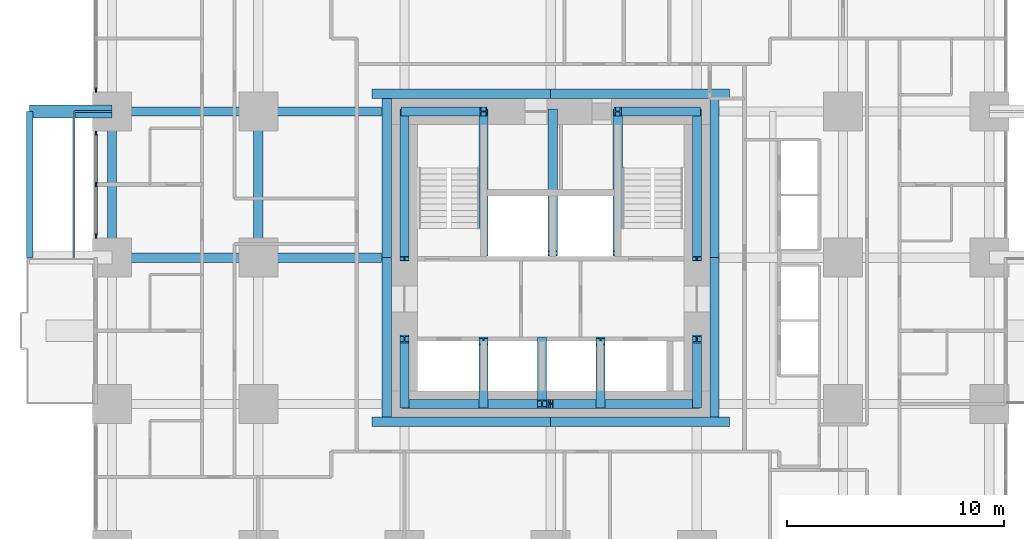
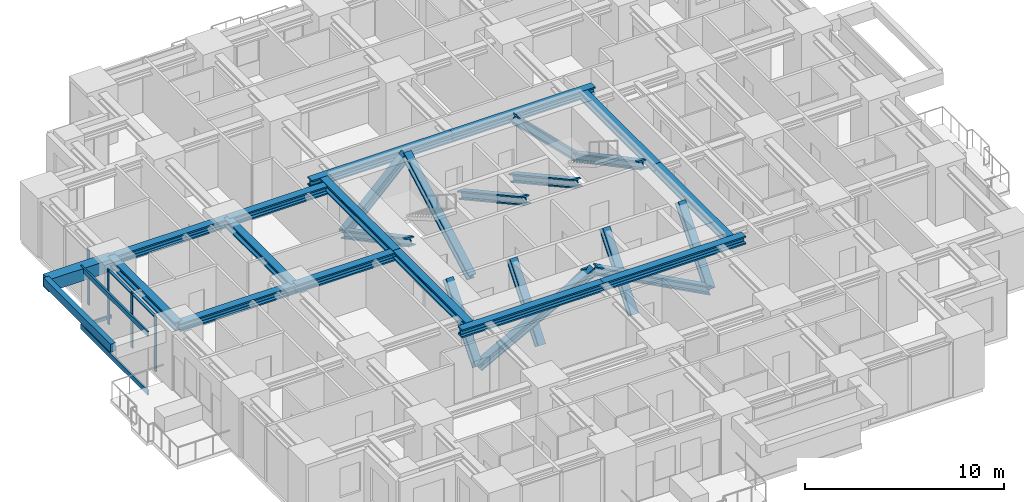
# One storey, part 3 of 14: 23 members, 16 beams, 2 elements without a shape of their own.
"""IFC4 building model written with IfcOpenShell, lengths in metres."""

from ifc_helpers import new_model, si_unit, direction, frame, origin, origin_2d, place, context, subcontext, project, spatial, rectangle, hollow_rectangle, i_section, extrude, material, material_profile, profile_set, type_object, element, aggregate, save


model = new_model("IFC4")

# Units and contexts
model_context = context("Model", 3, precision=1e-05, world=origin(), true_north=direction((0.0, 1.0)))
body_context = subcontext(model_context, "Body", "Model", "MODEL_VIEW")
ifc_project = project(units=[si_unit("LENGTHUNIT", "METRE"), si_unit("AREAUNIT", "SQUARE_METRE"), si_unit("VOLUMEUNIT", "CUBIC_METRE"), si_unit("PLANEANGLEUNIT", "RADIAN"), si_unit("MASSUNIT", "GRAM", prefix="KILO")], contexts=[model_context])

# Site, building, storey
site_placement = place(None, origin())
site = spatial("IfcSite", under=ifc_project, at=site_placement, CompositionType="ELEMENT")
building_placement = place(site_placement, origin())
building = spatial("IfcBuilding", under=site, at=building_placement, Name="Nyansa Garden Tower", CompositionType="ELEMENT")
storey_placement = place(building_placement, frame((0.0, 0.0, 54.0)))
storey = spatial("IfcBuildingStorey", under=building, at=storey_placement, Name="L14", CompositionType="ELEMENT", Elevation=54.0)

# Beams
ifc_material_1 = material(Name="Concrete C70/85", Category="concrete")
ifc_material_profile_1 = material_profile(ifc_material_1, rectangle(XDim=0.60009765625, YDim=0.75, at=origin_2d()), Name="RC 600x750")
ifc_profile_set_1 = profile_set([ifc_material_profile_1], Name="Concrete C70/85")
beam_type_1 = type_object("IfcBeamType", Name="Balcony cantilever beam CB1 RC 600x750", PredefinedType="BEAM", material=ifc_profile_set_1)
beam_1_placement = place(storey_placement, frame((0.0, 27.0, 2.985107421875), z_axis=(-1.0, 0.0, 0.0), x_axis=(0.0, -1.0, 0.0)))
element("IfcBeam", 1, at=beam_1_placement, inside=storey, type_object=beam_type_1, Name="Balcony cantilever beam L15", PredefinedType="BEAM", context=body_context, shape_type="SweptSolid", body=[
    extrude(rectangle(XDim=0.60009765625, YDim=0.75, at=origin_2d()), origin(), (0.0, 0.0, 1.0), 3.800048828125),
])
ifc_material_2 = material(Name="Concrete C70/85", Category="concrete")
ifc_material_profile_2 = material_profile(ifc_material_2, rectangle(XDim=0.300048828125, YDim=0.5, at=origin_2d()), Name="RC 300x500")
ifc_profile_set_2 = profile_set([ifc_material_profile_2], Name="Concrete C70/85")
beam_type_2 = type_object("IfcBeamType", Name="Balcony edge beam BE1 RC 300x500", PredefinedType="BEAM", material=ifc_profile_set_2)
beam_2_placement = place(storey_placement, frame((-3.800048828125, 20.25, 3.110107421875), z_axis=(0.0, 1.0, 0.0), x_axis=(-1.0, 0.0, 0.0)))
element("IfcBeam", 2, at=beam_2_placement, inside=storey, type_object=beam_type_2, Name="Balcony edge beam L15", PredefinedType="BEAM", context=body_context, shape_type="SweptSolid", body=[
    extrude(rectangle(XDim=0.300048828125, YDim=0.5, at=origin_2d()), origin(), (0.0, 0.0, 1.0), 6.75),
])

# Curtain wall, member
ifc_material_3 = material(Name="Black anodised aluminium, dark tinted double glazing", Category="aluminium")
curtain_wall_type = type_object("IfcCurtainWallType", Name="Inner skin curtain wall ISW-A", PredefinedType="USERDEFINED", material=ifc_material_3)
curtain_wall_1_placement = place(storey_placement, origin())
curtain_wall_1 = element("IfcCurtainWall", 3, at=curtain_wall_1_placement, inside=storey, type_object=curtain_wall_type, Name="Inner skin curtain wall L14 W", ObjectType="UNITISED CURTAIN WALL", PredefinedType="USERDEFINED")
ifc_material_4 = material(Name="Black anodised aluminium", Category="aluminium")
ifc_material_profile_3 = material_profile(ifc_material_4, rectangle(XDim=0.06494140625, YDim=0.199951171875, at=origin_2d()), Name="Mullion 200x65")
ifc_profile_set_3 = profile_set([ifc_material_profile_3], Name="Black anodised aluminium")
member_type_1 = type_object("IfcMemberType", Name="Mullion ISW-A 200x65", PredefinedType="MULLION", material=ifc_profile_set_3)
member_1_placement = place(storey_placement, frame((-0.75, 28.0, 0.0), z_axis=(0.0, 0.0, 1.0), x_axis=(1.0, 0.0, 0.0)))
member_1 = element("IfcMember", 4, at=member_1_placement, type_object=member_type_1, Name="ISW-A mullion 3", PredefinedType="MULLION", context=body_context, shape_type="SweptSolid", body=[
    extrude(rectangle(XDim=0.06494140625, YDim=0.199951171875, at=origin_2d()), origin(), (0.0, 0.0, 1.0), 3.375),
])
aggregate(curtain_wall_1, [member_1])

# Curtain wall, members
curtain_wall_2_placement = place(storey_placement, origin())
curtain_wall_2 = element("IfcCurtainWall", 5, at=curtain_wall_2_placement, inside=storey, type_object=curtain_wall_type, Name="Inner skin curtain wall L14 W", ObjectType="UNITISED CURTAIN WALL", PredefinedType="USERDEFINED")
member_2_placement = place(storey_placement, frame((-0.75, 26.0, 0.0), z_axis=(0.0, 0.0, 1.0), x_axis=(1.0, 0.0, 0.0)))
member_2 = element("IfcMember", 6, at=member_2_placement, type_object=member_type_1, Name="ISW-A mullion 1", PredefinedType="MULLION", context=body_context, shape_type="SweptSolid", body=[
    extrude(rectangle(XDim=0.06494140625, YDim=0.199951171875, at=origin_2d()), origin(), (0.0, 0.0, 1.0), 3.375),
])
member_3_placement = place(storey_placement, frame((-0.75, 23.625, 0.0), z_axis=(0.0, 0.0, 1.0), x_axis=(1.0, 0.0, 0.0)))
member_3 = element("IfcMember", 7, at=member_3_placement, type_object=member_type_1, Name="ISW-A mullion 2", PredefinedType="MULLION", context=body_context, shape_type="SweptSolid", body=[
    extrude(rectangle(XDim=0.06494140625, YDim=0.199951171875, at=origin_2d()), origin(), (0.0, 0.0, 1.0), 3.375),
])
member_4_placement = place(storey_placement, frame((-0.75, 21.25, 0.0), z_axis=(0.0, 0.0, 1.0), x_axis=(1.0, 0.0, 0.0)))
member_4 = element("IfcMember", 8, at=member_4_placement, type_object=member_type_1, Name="ISW-A mullion 3", PredefinedType="MULLION", context=body_context, shape_type="SweptSolid", body=[
    extrude(rectangle(XDim=0.06494140625, YDim=0.199951171875, at=origin_2d()), origin(), (0.0, 0.0, 1.0), 3.375),
])

# Members
ifc_material_5 = material(Name="Steel S355, black powder coated", Category="steel")
ifc_material_profile_4 = material_profile(ifc_material_5, hollow_rectangle(XDim=0.10009765625, YDim=0.199951171875, WallThickness=0.008056640625, at=origin_2d()), Name="RHS 200x100x8")
ifc_profile_set_4 = profile_set([ifc_material_profile_4], Name="Steel S355, black powder coated")
member_type_2 = type_object("IfcMemberType", Name="Outer skin bracket arm RHS 200x100x8", PredefinedType="USERDEFINED", material=ifc_profile_set_4)
member_5_placement = place(storey_placement, frame((0.0, 27.0, -0.375), z_axis=(-1.0, 0.0, 0.0), x_axis=(0.0, -1.0, 0.0)))
element("IfcMember", 9, at=member_5_placement, inside=storey, type_object=member_type_2, Name="Outer skin bracket arm", ObjectType="OUTER SKIN BRACKET", PredefinedType="USERDEFINED", context=body_context, shape_type="SweptSolid", body=[
    extrude(hollow_rectangle(XDim=0.10009765625, YDim=0.199951171875, WallThickness=0.008056640625, at=origin_2d()), origin(), (0.0, 0.0, 1.0), 1.75),
])
ifc_material_6 = material(Name="Steel S355, black powder coated", Category="steel")
ifc_material_profile_5 = material_profile(ifc_material_6, hollow_rectangle(XDim=0.10009765625, YDim=0.300048828125, WallThickness=0.010009765625, at=origin_2d()), Name="RHS 300x100x10")
ifc_profile_set_5 = profile_set([ifc_material_profile_5], Name="Steel S355, black powder coated")
member_type_3 = type_object("IfcMemberType", Name="Outer skin rail RHS 300x100x10", PredefinedType="USERDEFINED", material=ifc_profile_set_5)
for number, where, z_axis, x_axis, name in (
    (10, (-1.75, 20.25, -0.375), (0.0, 1.0, 0.0), (-1.0, 0.0, 0.0), "Outer skin rail L14"),
    (11, (-1.75, 20.25, 3.22509765625), (0.0, 1.0, 0.0), (-1.0, 0.0, 0.0), "Outer skin rail L14 head"),
):
    element("IfcMember", number, at=place(storey_placement, frame(where, z_axis=z_axis, x_axis=x_axis)), inside=storey, type_object=member_type_3, Name=name, ObjectType="OUTER SKIN RAIL", PredefinedType="USERDEFINED", context=body_context, shape_type="SweptSolid", body=[
        extrude(hollow_rectangle(XDim=0.10009765625, YDim=0.300048828125, WallThickness=0.010009765625, at=origin_2d()), origin(), (0.0, 0.0, 1.0), 6.75),
    ])
ifc_material_7 = material(Name="Steel S355", Category="steel")
ifc_material_profile_6 = material_profile(ifc_material_7, i_section(OverallWidth=0.424072265625, OverallDepth=0.47412109375, WebThickness=0.047607421875, FlangeThickness=0.076904296875, FilletRadius=0.014892578125, at=origin_2d()), Name="HD 400x634")
ifc_profile_set_6 = profile_set([ifc_material_profile_6], Name="Steel S355")
member_type_4 = type_object("IfcMemberType", Name="Perimeter brace HD 400x634", PredefinedType="BRACE", material=ifc_profile_set_6)
for number, where, z_axis, x_axis, name in (
    (12, (13.5, 13.5, 0.0), (0.882347640589, 0.0, 0.47059817376), (0.0, 1.0, 0.0), "Core brace CS1 L14"),
    (13, (27.0, 13.5, 0.0), (-0.882347640589, 0.0, 0.47059817376), (0.0, -1.0, 0.0), "Core brace CS2 L14"),
):
    element("IfcMember", number, at=place(storey_placement, frame(where, z_axis=z_axis, x_axis=x_axis)), inside=storey, type_object=member_type_4, Name=name, PredefinedType="BRACE", context=body_context, shape_type="SweptSolid", body=[
        extrude(i_section(OverallWidth=0.424072265625, OverallDepth=0.47412109375, WebThickness=0.047607421875, FlangeThickness=0.076904296875, FilletRadius=0.014892578125, at=origin_2d()), origin(), (0.0, 0.0, 1.0), 7.650146484375),
    ])
for number, where, z_axis, x_axis, name in (
    (14, (13.5, 27.0, 0.0), (0.711947531702, 0.0, 0.702232662373), (0.0, 1.0, 0.0), "Core brace CN3 L14"),
    (15, (27.0, 27.0, 0.0), (-0.711947531702, 0.0, 0.702232662373), (0.0, -1.0, 0.0), "Core brace CN4 L14"),
):
    element("IfcMember", number, at=place(storey_placement, frame(where, z_axis=z_axis, x_axis=x_axis)), inside=storey, type_object=member_type_4, Name=name, PredefinedType="BRACE", context=body_context, shape_type="SweptSolid", body=[
        extrude(i_section(OverallWidth=0.424072265625, OverallDepth=0.47412109375, WebThickness=0.047607421875, FlangeThickness=0.076904296875, FilletRadius=0.014892578125, at=origin_2d()), origin(), (0.0, 0.0, 1.0), 5.126708984375),
    ])
member_6_placement = place(storey_placement, frame((13.5, 13.5, 0.0), z_axis=(0.0, 0.640174150918, 0.768229820104), x_axis=(-1.0, 0.0, 0.0)))
element("IfcMember", 16, at=member_6_placement, inside=storey, type_object=member_type_4, Name="Core brace CW5 L14", PredefinedType="BRACE", context=body_context, shape_type="SweptSolid", body=[
    extrude(i_section(OverallWidth=0.424072265625, OverallDepth=0.47412109375, WebThickness=0.047607421875, FlangeThickness=0.076904296875, FilletRadius=0.014892578125, at=origin_2d()), origin(), (0.0, 0.0, 1.0), 4.686279296875),
])
member_7_placement = place(storey_placement, frame((13.5, 27.0, 0.0), z_axis=(0.0, -0.883784057226, 0.467895009796), x_axis=(1.0, 0.0, 0.0)))
element("IfcMember", 17, at=member_7_placement, inside=storey, type_object=member_type_4, Name="Core brace CW6 L14", PredefinedType="BRACE", context=body_context, shape_type="SweptSolid", body=[
    extrude(i_section(OverallWidth=0.424072265625, OverallDepth=0.47412109375, WebThickness=0.047607421875, FlangeThickness=0.076904296875, FilletRadius=0.014892578125, at=origin_2d()), origin(), (0.0, 0.0, 1.0), 7.6943359375),
])
member_8_placement = place(storey_placement, frame((27.0, 13.5, 0.0), z_axis=(0.0, 0.640174150918, 0.768229820104), x_axis=(-1.0, 0.0, 0.0)))
element("IfcMember", 18, at=member_8_placement, inside=storey, type_object=member_type_4, Name="Core brace CE7 L14", PredefinedType="BRACE", context=body_context, shape_type="SweptSolid", body=[
    extrude(i_section(OverallWidth=0.424072265625, OverallDepth=0.47412109375, WebThickness=0.047607421875, FlangeThickness=0.076904296875, FilletRadius=0.014892578125, at=origin_2d()), origin(), (0.0, 0.0, 1.0), 4.686279296875),
])
member_9_placement = place(storey_placement, frame((27.0, 27.0, 0.0), z_axis=(0.0, -0.883784057226, 0.467895009796), x_axis=(1.0, 0.0, 0.0)))
element("IfcMember", 19, at=member_9_placement, inside=storey, type_object=member_type_4, Name="Core brace CE8 L14", PredefinedType="BRACE", context=body_context, shape_type="SweptSolid", body=[
    extrude(i_section(OverallWidth=0.424072265625, OverallDepth=0.47412109375, WebThickness=0.047607421875, FlangeThickness=0.076904296875, FilletRadius=0.014892578125, at=origin_2d()), origin(), (0.0, 0.0, 1.0), 7.6943359375),
])
for number, where, z_axis, x_axis, name in (
    (20, (17.14990234375, 20.449951171875, 0.0), (0.0, 0.876353113771, 0.481669201822), (-1.0, 0.0, 0.0), "Core brace CWS9 L14"),
    (21, (23.35009765625, 27.0, 0.0), (0.0, -0.876353113771, 0.481669201822), (1.0, 0.0, 0.0), "Core brace CES10 L14"),
):
    element("IfcMember", number, at=place(storey_placement, frame(where, z_axis=z_axis, x_axis=x_axis)), inside=storey, type_object=member_type_4, Name=name, PredefinedType="BRACE", context=body_context, shape_type="SweptSolid", body=[
        extrude(i_section(OverallWidth=0.424072265625, OverallDepth=0.47412109375, WebThickness=0.047607421875, FlangeThickness=0.076904296875, FilletRadius=0.014892578125, at=origin_2d()), origin(), (0.0, 0.0, 1.0), 7.47412109375),
    ])
for number, where, z_axis, x_axis, name in (
    (22, (17.14990234375, 13.5, 0.0), (0.0, 0.627306405886, 0.778772542617), (-1.0, 0.0, 0.0), "Core brace CSW11 L14"),
    (23, (19.85009765625, 16.39990234375, 0.0), (0.0, -0.627306405886, 0.778772542617), (1.0, 0.0, 0.0), "Core brace CSW12 L14"),
    (24, (22.550048828125, 13.5, 0.0), (0.0, 0.627306405886, 0.778772542617), (-1.0, 0.0, 0.0), "Core brace CSW13 L14"),
):
    element("IfcMember", number, at=place(storey_placement, frame(where, z_axis=z_axis, x_axis=x_axis)), inside=storey, type_object=member_type_4, Name=name, PredefinedType="BRACE", context=body_context, shape_type="SweptSolid", body=[
        extrude(i_section(OverallWidth=0.424072265625, OverallDepth=0.47412109375, WebThickness=0.047607421875, FlangeThickness=0.076904296875, FilletRadius=0.014892578125, at=origin_2d()), origin(), (0.0, 0.0, 1.0), 4.622802734375),
    ])
member_10_placement = place(storey_placement, frame((20.35009765625, 27.0, 0.0), z_axis=(0.0, -0.876353113771, 0.481669201822), x_axis=(1.0, 0.0, 0.0)))
element("IfcMember", 25, at=member_10_placement, inside=storey, type_object=member_type_4, Name="Core brace CNW14 L14", PredefinedType="BRACE", context=body_context, shape_type="SweptSolid", body=[
    extrude(i_section(OverallWidth=0.424072265625, OverallDepth=0.47412109375, WebThickness=0.047607421875, FlangeThickness=0.076904296875, FilletRadius=0.014892578125, at=origin_2d()), origin(), (0.0, 0.0, 1.0), 7.47412109375),
])

# Beams
ifc_material_8 = material(Name="Steel S355", Category="steel")
ifc_material_profile_7 = material_profile(ifc_material_8, i_section(OverallWidth=0.431884765625, OverallDepth=0.498046875, WebThickness=0.0556640625, FlangeThickness=0.0888671875, FilletRadius=0.014892578125, at=origin_2d()), Name="HD 400x744")
ifc_profile_set_7 = profile_set([ifc_material_profile_7], Name="Steel S355")
beam_type_3 = type_object("IfcBeamType", Name="Steel beam SBA1-744 HD 400x744", PredefinedType="BEAM", material=ifc_profile_set_7)
for number, where, z_axis, x_axis, name in (
    (26, (0.0, 20.25, 3.1259765625), (1.0, 0.0, 0.0), (0.0, 1.0, 0.0), "Steel beam 2/G-3/G L15"),
    (27, (0.0, 27.0, 3.1259765625), (1.0, 0.0, 0.0), (0.0, 1.0, 0.0), "Steel beam 2/H-3/H L15"),
    (28, (6.75, 20.25, 3.1259765625), (0.0, 1.0, 0.0), (-1.0, 0.0, 0.0), "Steel beam 3/G-3/H L15"),
):
    element("IfcBeam", number, at=place(storey_placement, frame(where, z_axis=z_axis, x_axis=x_axis)), inside=storey, type_object=beam_type_3, Name=name, PredefinedType="BEAM", context=body_context, shape_type="SweptSolid", body=[
        extrude(i_section(OverallWidth=0.431884765625, OverallDepth=0.498046875, WebThickness=0.0556640625, FlangeThickness=0.0888671875, FilletRadius=0.014892578125, at=origin_2d()), origin(), (0.0, 0.0, 1.0), 6.75),
    ])
for number, where, z_axis, x_axis, name in (
    (29, (6.75, 20.25, 3.1259765625), (1.0, 0.0, 0.0), (0.0, 1.0, 0.0), "Steel beam 3/G-12.450/G L15"),
    (30, (6.75, 27.0, 3.1259765625), (1.0, 0.0, 0.0), (0.0, 1.0, 0.0), "Steel beam 3/H-12.450/H L15"),
):
    element("IfcBeam", number, at=place(storey_placement, frame(where, z_axis=z_axis, x_axis=x_axis)), inside=storey, type_object=beam_type_3, Name=name, PredefinedType="BEAM", context=body_context, shape_type="SweptSolid", body=[
        extrude(i_section(OverallWidth=0.431884765625, OverallDepth=0.498046875, WebThickness=0.0556640625, FlangeThickness=0.0888671875, FilletRadius=0.014892578125, at=origin_2d()), origin(), (0.0, 0.0, 1.0), 5.699951171875),
    ])
ifc_material_9 = material(Name="Steel S355", Category="steel")
ifc_material_profile_8 = material_profile(ifc_material_9, i_section(OverallWidth=0.431884765625, OverallDepth=0.498046875, WebThickness=0.0556640625, FlangeThickness=0.0888671875, FilletRadius=0.014892578125, at=origin_2d()), Name="HD 400x744")
ifc_profile_set_8 = profile_set([ifc_material_profile_8], Name="Steel S355")
beam_type_4 = type_object("IfcBeamType", Name="Steel beam SEBA-744 HD 400x744", PredefinedType="BEAM", material=ifc_profile_set_8)
beam_3_placement = place(storey_placement, frame((0.0, 20.25, 3.1259765625), z_axis=(0.0, 1.0, 0.0), x_axis=(-1.0, 0.0, 0.0)))
element("IfcBeam", 31, at=beam_3_placement, inside=storey, type_object=beam_type_4, Name="Steel edge beam 2/G-2/H L15", PredefinedType="BEAM", context=body_context, shape_type="SweptSolid", body=[
    extrude(i_section(OverallWidth=0.431884765625, OverallDepth=0.498046875, WebThickness=0.0556640625, FlangeThickness=0.0888671875, FilletRadius=0.014892578125, at=origin_2d()), origin(), (0.0, 0.0, 1.0), 6.75),
])
ifc_material_10 = material(Name="Steel S355", Category="steel")
ifc_material_profile_9 = material_profile(ifc_material_10, i_section(OverallWidth=0.431884765625, OverallDepth=0.498046875, WebThickness=0.0556640625, FlangeThickness=0.0888671875, FilletRadius=0.014892578125, at=origin_2d()), Name="HD 400x744")
ifc_profile_set_9 = profile_set([ifc_material_profile_9], Name="Steel S355")
beam_type_5 = type_object("IfcBeamType", Name="Steel beam SLB1-744 HD 400x744", PredefinedType="BEAM", material=ifc_profile_set_9)
for number, where, z_axis, x_axis, name in (
    (32, (12.0, 12.68408203125, 3.1259765625), (1.0, 0.0, 0.0), (0.0, 1.0, 0.0), "Steel core ledger beam S.1 L15"),
    (33, (20.25, 12.68408203125, 3.1259765625), (1.0, 0.0, 0.0), (0.0, 1.0, 0.0), "Steel core ledger beam S.2 L15"),
):
    element("IfcBeam", number, at=place(storey_placement, frame(where, z_axis=z_axis, x_axis=x_axis)), inside=storey, type_object=beam_type_5, Name=name, PredefinedType="BEAM", context=body_context, shape_type="SweptSolid", body=[
        extrude(i_section(OverallWidth=0.431884765625, OverallDepth=0.498046875, WebThickness=0.0556640625, FlangeThickness=0.0888671875, FilletRadius=0.014892578125, at=origin_2d()), origin(), (0.0, 0.0, 1.0), 8.25),
    ])
for number, where, z_axis, x_axis, name in (
    (34, (27.81591796875, 12.89990234375, 3.1259765625), (0.0, 1.0, 0.0), (-1.0, 0.0, 0.0), "Steel core ledger beam E.1 L15"),
    (35, (27.81591796875, 20.25, 3.1259765625), (0.0, 1.0, 0.0), (-1.0, 0.0, 0.0), "Steel core ledger beam E.2 L15"),
):
    element("IfcBeam", number, at=place(storey_placement, frame(where, z_axis=z_axis, x_axis=x_axis)), inside=storey, type_object=beam_type_5, Name=name, PredefinedType="BEAM", context=body_context, shape_type="SweptSolid", body=[
        extrude(i_section(OverallWidth=0.431884765625, OverallDepth=0.498046875, WebThickness=0.0556640625, FlangeThickness=0.0888671875, FilletRadius=0.014892578125, at=origin_2d()), origin(), (0.0, 0.0, 1.0), 7.35009765625),
    ])
for number, where, z_axis, x_axis, name in (
    (36, (28.5, 27.81591796875, 3.1259765625), (-1.0, 0.0, 0.0), (0.0, -1.0, 0.0), "Steel core ledger beam N.1 L15"),
    (37, (20.25, 27.81591796875, 3.1259765625), (-1.0, 0.0, 0.0), (0.0, -1.0, 0.0), "Steel core ledger beam N.2 L15"),
):
    element("IfcBeam", number, at=place(storey_placement, frame(where, z_axis=z_axis, x_axis=x_axis)), inside=storey, type_object=beam_type_5, Name=name, PredefinedType="BEAM", context=body_context, shape_type="SweptSolid", body=[
        extrude(i_section(OverallWidth=0.431884765625, OverallDepth=0.498046875, WebThickness=0.0556640625, FlangeThickness=0.0888671875, FilletRadius=0.014892578125, at=origin_2d()), origin(), (0.0, 0.0, 1.0), 8.25),
    ])
for number, where, z_axis, x_axis, name in (
    (38, (12.68408203125, 27.60009765625, 3.1259765625), (0.0, -1.0, 0.0), (1.0, 0.0, 0.0), "Steel core ledger beam W.1 L15"),
    (39, (12.68408203125, 20.25, 3.1259765625), (0.0, -1.0, 0.0), (1.0, 0.0, 0.0), "Steel core ledger beam W.2 L15"),
):
    element("IfcBeam", number, at=place(storey_placement, frame(where, z_axis=z_axis, x_axis=x_axis)), inside=storey, type_object=beam_type_5, Name=name, PredefinedType="BEAM", context=body_context, shape_type="SweptSolid", body=[
        extrude(i_section(OverallWidth=0.431884765625, OverallDepth=0.498046875, WebThickness=0.0556640625, FlangeThickness=0.0888671875, FilletRadius=0.014892578125, at=origin_2d()), origin(), (0.0, 0.0, 1.0), 7.35009765625),
    ])

# Member
ifc_material_11 = material(Name="Black anodised aluminium", Category="aluminium")
ifc_material_profile_10 = material_profile(ifc_material_11, rectangle(XDim=0.14990234375, YDim=0.06494140625, at=origin_2d()), Name="Transom 150x65")
ifc_profile_set_10 = profile_set([ifc_material_profile_10], Name="Black anodised aluminium")
member_type_5 = type_object("IfcMemberType", Name="Transom ISW-A 150x65", PredefinedType="USERDEFINED", material=ifc_profile_set_10)
member_11_placement = place(storey_placement, frame((-0.75, 25.967529296875, 3.342529296875), z_axis=(0.0, -1.0, 0.0), x_axis=(1.0, 0.0, 0.0)))
member_11 = element("IfcMember", 40, at=member_11_placement, type_object=member_type_5, Name="ISW-A transom 1", ObjectType="TRANSOM", PredefinedType="USERDEFINED", context=body_context, shape_type="SweptSolid", body=[
    extrude(rectangle(XDim=0.14990234375, YDim=0.06494140625, at=origin_2d()), origin(), (0.0, 0.0, 1.0), 2.31005859375),
])

member_12_placement = place(storey_placement, frame((-0.75, 23.592529296875, 3.342529296875), z_axis=(0.0, -1.0, 0.0), x_axis=(1.0, 0.0, 0.0)))
member_12 = element("IfcMember", 41, at=member_12_placement, type_object=member_type_5, Name="ISW-A transom 2", ObjectType="TRANSOM", PredefinedType="USERDEFINED", context=body_context, shape_type="SweptSolid", body=[
    extrude(rectangle(XDim=0.14990234375, YDim=0.06494140625, at=origin_2d()), origin(), (0.0, 0.0, 1.0), 2.31005859375),
])

aggregate(curtain_wall_2, [member_2, member_3, member_4, member_11, member_12])

save(model, "model.ifc")
